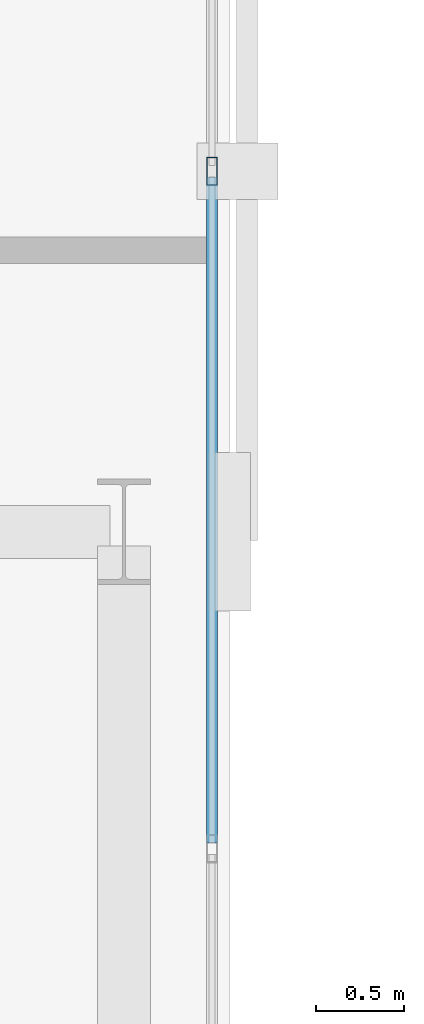
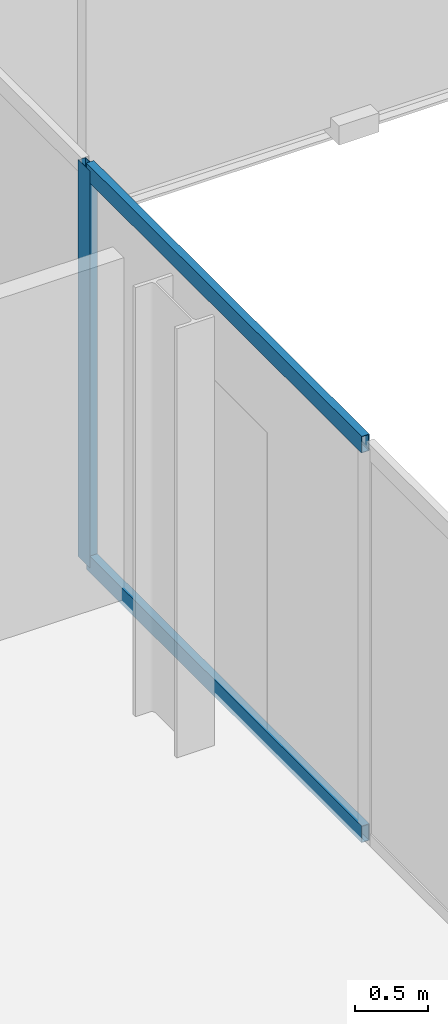
# One storey, part 8 of 33: 3 members, 1 element without a shape of its own.
"""IFC4 building model written with IfcOpenShell, lengths in metres."""

from ifc_helpers import new_model, si_unit, direction, frame, origin, origin_2d, place, context, subcontext, project, spatial, hollow_rectangle, extrude, material, layer, layer_set, material_profile, profile_set, type_object, element, aggregate, save


model = new_model("IFC4")

# Units and contexts
model_context = context("Model", 3, precision=1e-05, world=origin(), true_north=direction((0.0, 1.0)))
body_context = subcontext(model_context, "Body", "Model", "MODEL_VIEW")
ifc_project = project(units=[si_unit("LENGTHUNIT", "METRE"), si_unit("AREAUNIT", "SQUARE_METRE"), si_unit("VOLUMEUNIT", "CUBIC_METRE"), si_unit("PLANEANGLEUNIT", "RADIAN"), si_unit("MASSUNIT", "GRAM", prefix="KILO")], contexts=[model_context])

# Site, building, storey
site_placement = place(None, origin())
site = spatial("IfcSite", under=ifc_project, at=site_placement, CompositionType="ELEMENT")
building_placement = place(site_placement, origin())
building = spatial("IfcBuilding", under=site, at=building_placement, Name="Catumbela Crestline Tower", CompositionType="ELEMENT")
storey_placement = place(building_placement, frame((0.0, 0.0, 118.8)))
storey = spatial("IfcBuildingStorey", under=building, at=storey_placement, Name="L30", CompositionType="ELEMENT", Elevation=118.8)

# Curtain wall, members
ifc_material = material(Name="Aluminium alloy AW-6060-T66", Category="aluminium")
ifc_layer = layer(ifc_material, 0.18, Name="Aluminium alloy AW-6060-T66")
ifc_layer_set = layer_set([ifc_layer], Name="Aluminium alloy AW-6060-T66")
curtain_wall_type = type_object("IfcCurtainWallType", Name="CWU-Z2", PredefinedType="USERDEFINED", material=ifc_layer_set)
curtain_wall_placement = place(storey_placement, origin())
curtain_wall = element("IfcCurtainWall", 1, at=curtain_wall_placement, inside=storey, type_object=curtain_wall_type, Name="L30 Unitised Curtain Wall CW-L30-E2S1", ObjectType="UNITISED", PredefinedType="USERDEFINED")
ifc_material_profile_1 = material_profile(ifc_material, hollow_rectangle(XDim=0.06, YDim=0.16, WallThickness=0.004, at=origin_2d()), Name="ALU 160x60x4")
ifc_profile_set_1 = profile_set([ifc_material_profile_1], Name="Aluminium alloy AW-6060-T66")
member_type_1 = type_object("IfcMemberType", Name="MUL-160X60", PredefinedType="MULLION", material=ifc_profile_set_1)
member_1_placement = place(storey_placement, frame((23.9, 20.05, 0.0), z_axis=(0.0, 0.0, 1.0), x_axis=(-1.0, 0.0, 0.0)))
member_1 = element("IfcMember", 2, at=member_1_placement, type_object=member_type_1, Name="CWU-Z2 mullion 4", PredefinedType="MULLION", context=body_context, shape_type="SweptSolid", body=[
    extrude(hollow_rectangle(XDim=0.06, YDim=0.16, WallThickness=0.004, at=origin_2d()), origin(), (0.0, 0.0, 1.0), 3.33),
])
ifc_material_profile_2 = material_profile(ifc_material, hollow_rectangle(XDim=0.06, YDim=0.14, WallThickness=0.004, at=origin_2d()), Name="ALU 140x60x4")
ifc_profile_set_2 = profile_set([ifc_material_profile_2], Name="Aluminium alloy AW-6060-T66")
member_type_2 = type_object("IfcMemberType", Name="TRN-140X60", PredefinedType="USERDEFINED", material=ifc_profile_set_2)
member_2_placement = place(storey_placement, frame((23.9, 16.2325, 0.03), z_axis=(0.0, 1.0, 0.0), x_axis=(-1.0, 0.0, 0.0)))
member_2 = element("IfcMember", 3, at=member_2_placement, type_object=member_type_2, Name="CWU-Z2 transom 3.1", ObjectType="TRANSOM", PredefinedType="USERDEFINED", context=body_context, shape_type="SweptSolid", body=[
    extrude(hollow_rectangle(XDim=0.06, YDim=0.14, WallThickness=0.004, at=origin_2d()), origin(), (0.0, 0.0, 1.0), 3.785),
])
member_3_placement = place(storey_placement, frame((23.9, 16.2325, 3.3), z_axis=(0.0, 1.0, 0.0), x_axis=(-1.0, 0.0, 0.0)))
member_3 = element("IfcMember", 4, at=member_3_placement, type_object=member_type_2, Name="CWU-Z2 transom 3.2", ObjectType="TRANSOM", PredefinedType="USERDEFINED", context=body_context, shape_type="SweptSolid", body=[
    extrude(hollow_rectangle(XDim=0.06, YDim=0.14, WallThickness=0.004, at=origin_2d()), origin(), (0.0, 0.0, 1.0), 3.785),
])
aggregate(curtain_wall, [member_1, member_2, member_3])

save(model, "model.ifc")
